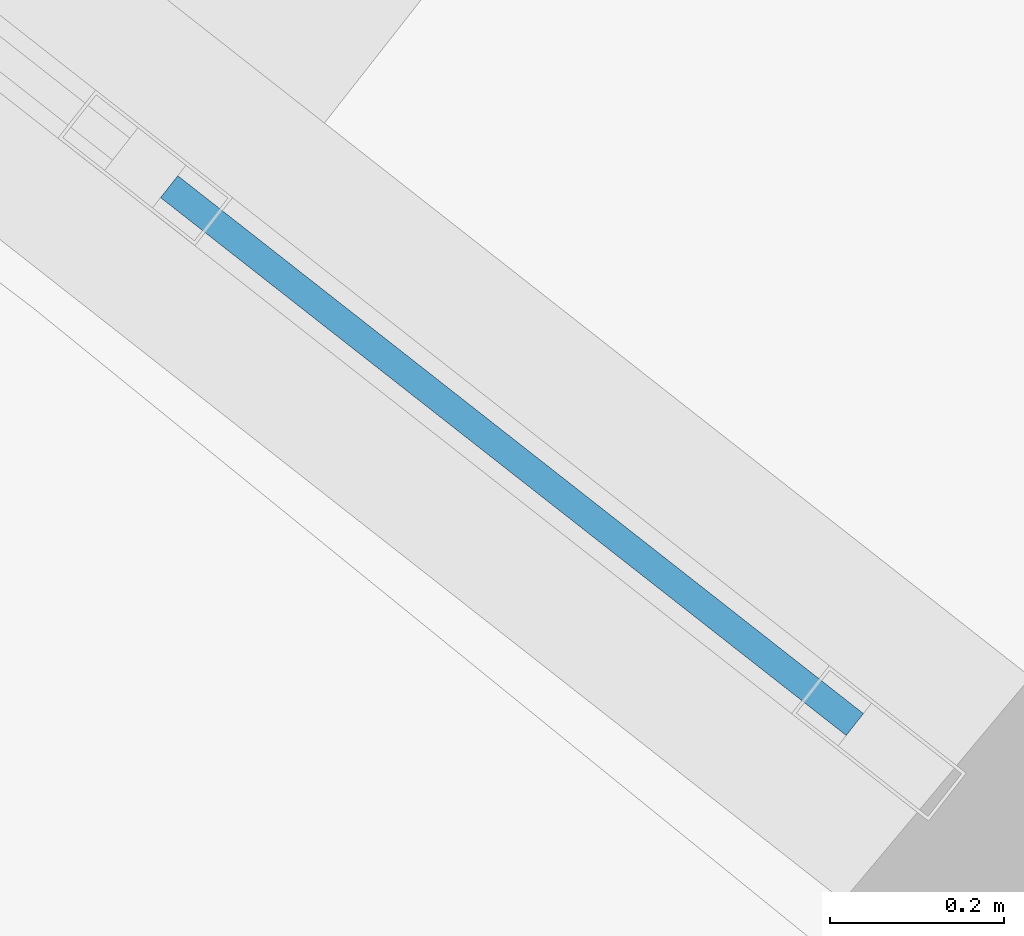
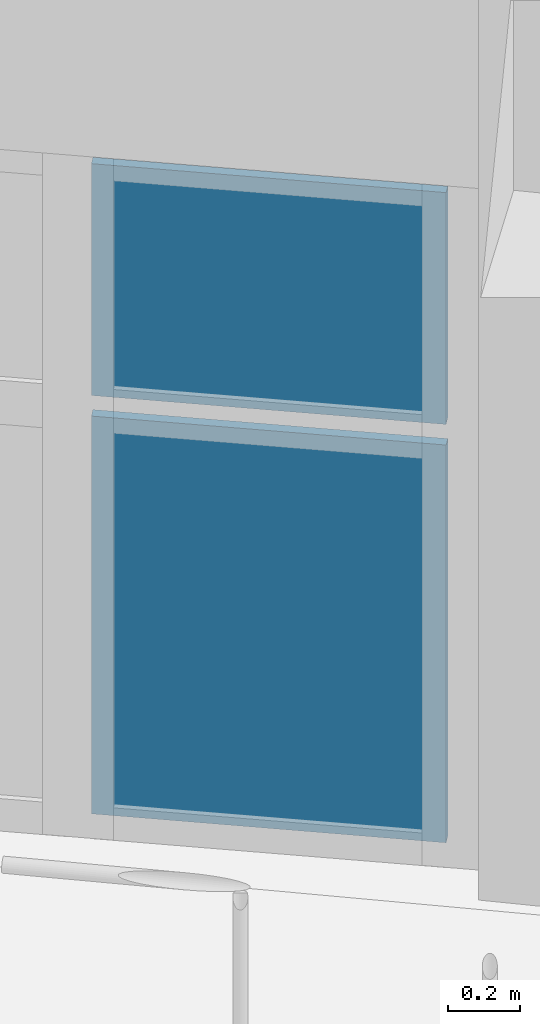
# One storey, part 38 of 83: 2 plates, 1 element without a shape of its own.
"""IFC4 building model written with IfcOpenShell, lengths in metres."""

from ifc_helpers import new_model, si_unit, direction, frame, origin, origin_2d, place, context, subcontext, project, spatial, rectangle, extrude, material, layer, layer_set, type_object, element, aggregate, save


model = new_model("IFC4")

# Units and contexts
model_context = context("Model", 3, precision=1e-05, world=origin(), true_north=direction((0.0, 1.0)))
body_context = subcontext(model_context, "Body", "Model", "MODEL_VIEW")
ifc_project = project(units=[si_unit("LENGTHUNIT", "METRE"), si_unit("AREAUNIT", "SQUARE_METRE"), si_unit("VOLUMEUNIT", "CUBIC_METRE"), si_unit("PLANEANGLEUNIT", "RADIAN"), si_unit("MASSUNIT", "GRAM", prefix="KILO")], contexts=[model_context])

# Site, building, storey
site_placement = place(None, origin())
site = spatial("IfcSite", under=ifc_project, at=site_placement, CompositionType="ELEMENT")
building_placement = place(site_placement, origin())
building = spatial("IfcBuilding", under=site, at=building_placement, Name="Tanwirah Colonnade Gardens", CompositionType="ELEMENT")
storey_placement = place(building_placement, frame((0.0, 0.0, 25.639892578125)))
storey = spatial("IfcBuildingStorey", under=building, at=storey_placement, Name="L07", CompositionType="ELEMENT", Elevation=25.639892578125)

# Curtain wall, plates
ifc_material_1 = material(Name="Bronze-anodised aluminium and solar-control low-E glass", Category="aluminium")
curtain_wall_type = type_object("IfcCurtainWallType", Name="CW-GDN", PredefinedType="NOTDEFINED", material=ifc_material_1)
curtain_wall_placement = place(storey_placement, origin())
curtain_wall = element("IfcCurtainWall", 1, at=curtain_wall_placement, inside=storey, type_object=curtain_wall_type, Name="Curtain Wall CW-B-L07-IN-09", PredefinedType="NOTDEFINED")
ifc_material_2 = material(Name="Acoustic solar-control low-E double glazing", Category="glass")
ifc_layer = layer(ifc_material_2, 0.031982421875)
ifc_layer_set = layer_set([ifc_layer], Name="Acoustic solar-control low-E double glazing")
plate_type = type_object("IfcPlateType", Name="CWP-GLZ32", PredefinedType="CURTAIN_PANEL", material=ifc_layer_set)
plate_1_placement = place(storey_placement, frame((148.840087890625, 94.82470703125, 0.070068359375), z_axis=(0.0, 0.0, 1.0), x_axis=(-0.786815291166, 0.617188542982, 0.0)))
plate_1 = element("IfcPlate", 2, at=plate_1_placement, type_object=plate_type, Name="CW-GDN panel 1.1", PredefinedType="CURTAIN_PANEL", context=body_context, shape_type="SweptSolid", body=[
    extrude(rectangle(XDim=1.000244140625, YDim=0.031982421875, at=origin_2d()), origin(), (0.0, 0.0, 1.0), 1.35498046875),
])
plate_2_placement = place(storey_placement, frame((148.840087890625, 94.82470703125, 1.4951171875), z_axis=(0.0, 0.0, 1.0), x_axis=(-0.786815291166, 0.617188542982, 0.0)))
plate_2 = element("IfcPlate", 3, at=plate_2_placement, type_object=plate_type, Name="CW-GDN panel 1.2", PredefinedType="CURTAIN_PANEL", context=body_context, shape_type="SweptSolid", body=[
    extrude(rectangle(XDim=1.000244140625, YDim=0.031982421875, at=origin_2d()), origin(), (0.0, 0.0, 1.0), 0.789794921875),
])
aggregate(curtain_wall, [plate_1, plate_2])

save(model, "model.ifc")
